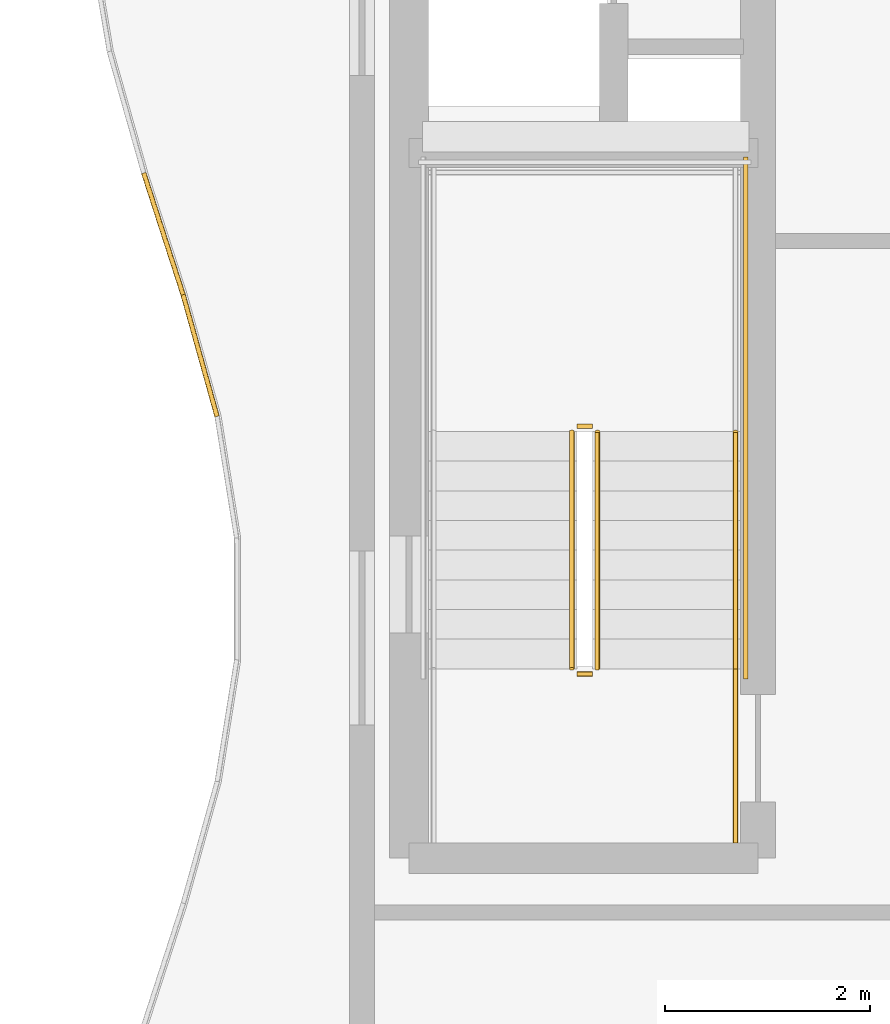
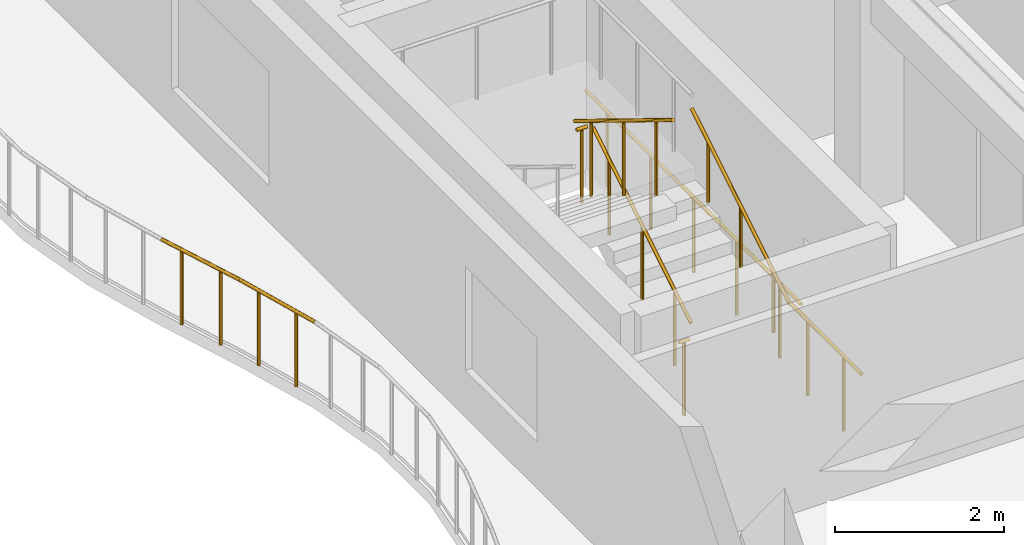
# One storey, part 61 of 79: 9 railings.
"""IFC4 building model written with IfcOpenShell, lengths in metres."""

from ifc_helpers import new_model, si_unit, direction, frame, origin, origin_2d, place, context, subcontext, project, spatial, circle, extrude, material, type_object, element, save


model = new_model("IFC4")

# Units and contexts
model_context = context("Model", 3, precision=1e-05, world=origin(), true_north=direction((0.0, 1.0)))
body_context = subcontext(model_context, "Body", "Model", "MODEL_VIEW")
ifc_project = project(units=[si_unit("LENGTHUNIT", "METRE"), si_unit("AREAUNIT", "SQUARE_METRE"), si_unit("VOLUMEUNIT", "CUBIC_METRE"), si_unit("PLANEANGLEUNIT", "RADIAN"), si_unit("MASSUNIT", "GRAM", prefix="KILO")], contexts=[model_context])

# Site, building, storey
site_placement = place(None, origin())
site = spatial("IfcSite", under=ifc_project, at=site_placement, CompositionType="ELEMENT")
building_placement = place(site_placement, origin())
building = spatial("IfcBuilding", under=site, at=building_placement, Name="Keldmere Railside Commons", CompositionType="ELEMENT")
storey_placement = place(building_placement, frame((0.0, 0.0, 10.56005859375)))
storey = spatial("IfcBuildingStorey", under=building, at=storey_placement, Name="L03", CompositionType="ELEMENT", Elevation=10.56005859375)

# Railings
ifc_material = material(Name="Steel F-24 (S235)", Category="steel")
railing_type_1 = type_object("IfcRailingType", Name="Balcony & Terrace Steel Balustrade 1100", PredefinedType="BALUSTRADE", material=ifc_material)
railing_1_placement = place(storey_placement, frame((102.58349609375, 71.666748046875, 0.0)))
element("IfcRailing", 1, at=railing_1_placement, inside=storey, type_object=railing_type_1, Name="GR-1 GRD-L03-2182", PredefinedType="BALUSTRADE", context=body_context, shape_type="SweptSolid", body=[
    extrude(circle(Radius=0.02392578125, at=origin_2d()), frame((0.0, 0.0, 1.076171875), z_axis=(-0.268602658062, 0.963251063888, 0.0), x_axis=(-0.963251063888, -0.268602658062, 0.0)), (0.0, 0.0, 1.0), 1.234375),
    extrude(circle(Radius=0.02099609375, at=origin_2d()), frame((-0.0830078125, 0.29736328125, 0.0)), (0.0, 0.0, 1.0), 1.048095703125),
    extrude(circle(Radius=0.02099609375, at=origin_2d()), frame((-0.24853515625, 0.8916015625, 0.0)), (0.0, 0.0, 1.0), 1.048095703125),
])
railing_2_placement = place(storey_placement, frame((102.251953125, 72.855712890625, 0.0)))
element("IfcRailing", 2, at=railing_2_placement, inside=storey, type_object=railing_type_1, Name="GR-1 GRD-L03-2183", PredefinedType="BALUSTRADE", context=body_context, shape_type="SweptSolid", body=[
    extrude(circle(Radius=0.02392578125, at=origin_2d()), frame((0.0, 0.0, 1.076171875), z_axis=(-0.307950345162, 0.95140243058, 0.0), x_axis=(-0.95140243058, -0.307950345162, 0.0)), (0.0, 0.0, 1.0), 1.24951171875),
    extrude(circle(Radius=0.02099609375, at=origin_2d()), frame((-0.09619140625, 0.297119140625, 0.0)), (0.0, 0.0, 1.0), 1.048095703125),
    extrude(circle(Radius=0.02099609375, at=origin_2d()), frame((-0.28857421875, 0.8916015625, 0.0)), (0.0, 0.0, 1.0), 1.048095703125),
])
railing_type_2 = type_object("IfcRailingType", Name="Stair Well Steel Guardrail 1100", PredefinedType="BALUSTRADE", material=ifc_material)
railing_3_placement = place(storey_placement, frame((106.300048828125, 69.199951171875, 0.177734375)))
element("IfcRailing", 3, at=railing_3_placement, inside=storey, type_object=railing_type_2, Name="L03 ST-B1 stair guard 1", PredefinedType="BALUSTRADE", context=body_context, shape_type="SweptSolid", body=[
    extrude(circle(Radius=0.02392578125, at=origin_2d()), frame((0.0, 0.0, 1.076171875), z_axis=(0.0, 0.852578041948, 0.522599925744), x_axis=(-1.0, 0.0, 0.0)), (0.0, 0.0, 1.0), 2.72119140625),
    extrude(circle(Radius=0.02099609375, at=origin_2d()), frame((0.0, 0.38671875, 0.237060546875)), (0.0, 0.0, 1.0), 1.048095703125),
    extrude(circle(Radius=0.02099609375, at=origin_2d()), frame((0.0, 1.16015625, 0.7109375)), (0.0, 0.0, 1.0), 1.048095703125),
    extrude(circle(Radius=0.02099609375, at=origin_2d()), frame((0.0, 1.933349609375, 1.18505859375)), (0.0, 0.0, 1.0), 1.048095703125),
])
railing_4_placement = place(storey_placement, frame((106.25, 71.570068359375, 1.599853515625)))
element("IfcRailing", 4, at=railing_4_placement, inside=storey, type_object=railing_type_2, Name="L03 ST-B1 stair guard 2", PredefinedType="BALUSTRADE", context=body_context, shape_type="SweptSolid", body=[
    extrude(circle(Radius=0.02392578125, at=origin_2d()), frame((0.0, 0.0, 1.076171875), z_axis=(-1.0, 0.0, 0.0), x_axis=(0.0, -1.0, 0.0)), (0.0, 0.0, 1.0), 0.14990234375),
    extrude(circle(Radius=0.02099609375, at=origin_2d()), frame((-0.074951171875, 0.0, 0.0)), (0.0, 0.0, 1.0), 1.048095703125),
])
railing_5_placement = place(storey_placement, frame((106.050048828125, 71.52001953125, 1.77783203125)))
element("IfcRailing", 5, at=railing_5_placement, inside=storey, type_object=railing_type_2, Name="L03 ST-B1 stair guard 6", PredefinedType="BALUSTRADE", context=body_context, shape_type="SweptSolid", body=[
    extrude(circle(Radius=0.02392578125, at=origin_2d()), frame((0.0, 0.0, 1.076171875), z_axis=(0.0, -0.852578041948, 0.522599925744), x_axis=(1.0, 0.0, 0.0)), (0.0, 0.0, 1.0), 2.72119140625),
    extrude(circle(Radius=0.02099609375, at=origin_2d()), frame((0.0, -0.38671875, 0.237060546875)), (0.0, 0.0, 1.0), 1.048095703125),
    extrude(circle(Radius=0.02099609375, at=origin_2d()), frame((0.0, -1.16015625, 0.7109375)), (0.0, 0.0, 1.0), 1.048095703125),
    extrude(circle(Radius=0.02099609375, at=origin_2d()), frame((0.0, -1.933349609375, 1.18505859375)), (0.0, 0.0, 1.0), 1.048095703125),
])
railing_6_placement = place(storey_placement, frame((106.25, 69.14990234375, 0.0)))
element("IfcRailing", 6, at=railing_6_placement, inside=storey, type_object=railing_type_2, Name="L03 ST-B1 stair guard 7", PredefinedType="BALUSTRADE", context=body_context, shape_type="SweptSolid", body=[
    extrude(circle(Radius=0.02392578125, at=origin_2d()), frame((0.0, 0.0, 1.076171875), z_axis=(-1.0, 0.0, 0.0), x_axis=(0.0, -1.0, 0.0)), (0.0, 0.0, 1.0), 0.14990234375),
    extrude(circle(Radius=0.02099609375, at=origin_2d()), frame((-0.074951171875, 0.0, 0.0)), (0.0, 0.0, 1.0), 1.048095703125),
])
railing_7_placement = place(storey_placement, frame((107.64990234375, 67.5, 0.0)))
element("IfcRailing", 7, at=railing_7_placement, inside=storey, type_object=railing_type_2, Name="L03 ST-B1 stair guard 8", PredefinedType="BALUSTRADE", context=body_context, shape_type="SweptSolid", body=[
    extrude(circle(Radius=0.02392578125, at=origin_2d()), frame((0.0, 0.0, 1.076171875), z_axis=(0.0, 1.0, 0.0), x_axis=(-1.0, 0.0, 0.0)), (0.0, 0.0, 1.0), 1.699951171875),
    extrude(circle(Radius=0.02099609375, at=origin_2d()), frame((0.0, 0.425048828125, 0.0)), (0.0, 0.0, 1.0), 1.048095703125),
    extrude(circle(Radius=0.02099609375, at=origin_2d()), frame((0.0, 1.27490234375, 0.0)), (0.0, 0.0, 1.0), 1.048095703125),
])
railing_8_placement = place(storey_placement, frame((107.75, 69.10009765625, 0.0)))
element("IfcRailing", 8, at=railing_8_placement, inside=storey, type_object=railing_type_2, Name="L03 ST-B1 stair guard 10", PredefinedType="BALUSTRADE", context=body_context, shape_type="SweptSolid", body=[
    extrude(circle(Radius=0.02392578125, at=origin_2d()), frame((0.0, 0.0, 1.076171875), z_axis=(0.0, 1.0, 0.0), x_axis=(-1.0, 0.0, 0.0)), (0.0, 0.0, 1.0), 5.099853515625),
    extrude(circle(Radius=0.02099609375, at=origin_2d()), frame((0.0, 0.510009765625, 0.0)), (0.0, 0.0, 1.0), 1.048095703125),
    extrude(circle(Radius=0.02099609375, at=origin_2d()), frame((0.0, 1.530029296875, 0.0)), (0.0, 0.0, 1.0), 1.048095703125),
    extrude(circle(Radius=0.02099609375, at=origin_2d()), frame((0.0, 2.5498046875, 0.0)), (0.0, 0.0, 1.0), 1.048095703125),
    extrude(circle(Radius=0.02099609375, at=origin_2d()), frame((0.0, 3.56982421875, 0.0)), (0.0, 0.0, 1.0), 1.048095703125),
    extrude(circle(Radius=0.02099609375, at=origin_2d()), frame((0.0, 4.58984375, 0.0)), (0.0, 0.0, 1.0), 1.048095703125),
])
railing_type_3 = type_object("IfcRailingType", Name="Wall-Mounted Tubular Steel Handrail 900", PredefinedType="HANDRAIL", material=ifc_material)
railing_9_placement = place(storey_placement, frame((107.64990234375, 69.199951171875, 0.177734375)))
element("IfcRailing", 9, at=railing_9_placement, inside=storey, type_object=railing_type_3, Name="L03 ST-B1 stair handrail 1", PredefinedType="HANDRAIL", context=body_context, shape_type="SweptSolid", body=[
    extrude(circle(Radius=0.02392578125, at=origin_2d()), frame((0.0, 0.0, 0.8759765625), z_axis=(0.0, 0.852578041948, 0.522599925744), x_axis=(-1.0, 0.0, 0.0)), (0.0, 0.0, 1.0), 2.72119140625),
    extrude(circle(Radius=0.02099609375, at=origin_2d()), frame((0.0, 0.38671875, 0.237060546875)), (0.0, 0.0, 1.0), 0.847900390625),
    extrude(circle(Radius=0.02099609375, at=origin_2d()), frame((0.0, 1.16015625, 0.7109375)), (0.0, 0.0, 1.0), 0.847900390625),
    extrude(circle(Radius=0.02099609375, at=origin_2d()), frame((0.0, 1.933349609375, 1.18505859375)), (0.0, 0.0, 1.0), 0.847900390625),
])

save(model, "model.ifc")
